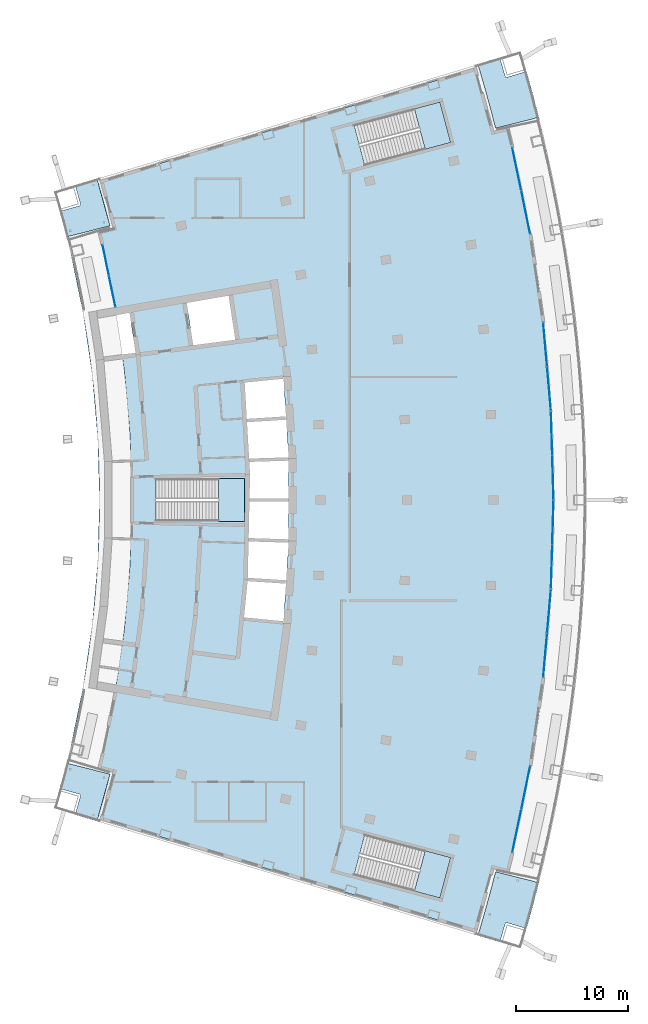
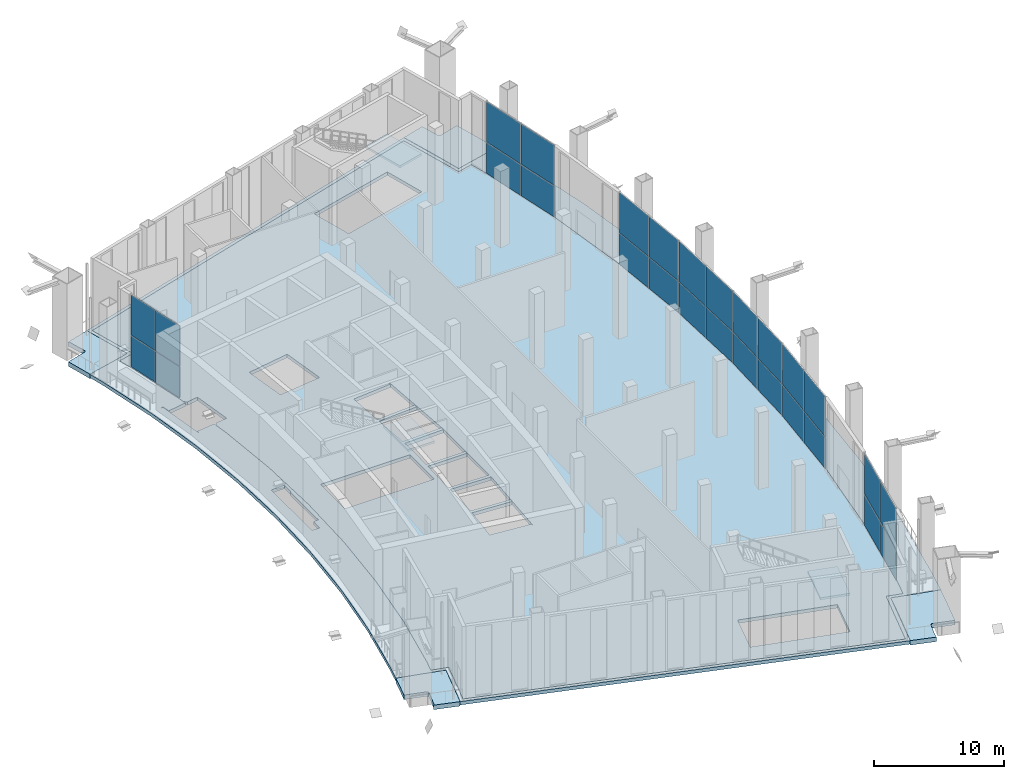
# One storey, part 14 of 26: 28 plates, 9 slabs, 10 elements without a shape of their own.
"""IFC4 building model written with IfcOpenShell, lengths in metres."""

from ifc_helpers import new_model, si_unit, direction, frame, origin, origin_2d, place, context, subcontext, project, spatial, polyline, rectangle, outline, extrude, material, layer, layer_set, type_object, element, aggregate, save


model = new_model("IFC4")

# Units and contexts
model_context = context("Model", 3, precision=1e-05, world=origin(), true_north=direction((0.0, 1.0)))
body_context = subcontext(model_context, "Body", "Model", "MODEL_VIEW")
ifc_project = project(units=[si_unit("LENGTHUNIT", "METRE"), si_unit("AREAUNIT", "SQUARE_METRE"), si_unit("VOLUMEUNIT", "CUBIC_METRE"), si_unit("PLANEANGLEUNIT", "RADIAN"), si_unit("MASSUNIT", "GRAM", prefix="KILO")], contexts=[model_context])

# Site, building, storey
site_placement = place(None, origin())
site = spatial("IfcSite", under=ifc_project, at=site_placement, CompositionType="ELEMENT")
building_placement = place(site_placement, origin())
building = spatial("IfcBuilding", under=site, at=building_placement, Name="Alderwake Tower", CompositionType="ELEMENT")
storey_placement = place(building_placement, frame((0.0, 0.0, 182.0)))
storey = spatial("IfcBuildingStorey", under=building, at=storey_placement, Name="L45", CompositionType="ELEMENT", Elevation=182.0)

# Slabs
ifc_material_1 = material(Name="Concrete C50/60", Category="concrete")
ifc_layer_1 = layer(ifc_material_1, 0.320068359375)
ifc_layer_set_1 = layer_set([ifc_layer_1], Name="Concrete C50/60 post-tensioned flat plate 320")
slab_type_1 = type_object("IfcSlabType", Name="Concrete C50/60 post-tensioned flat plate 320", PredefinedType="FLOOR", material=ifc_layer_set_1)
slab_1_placement = place(storey_placement, frame((0.0, 0.0, -0.320068359375)))
element("IfcSlab", 1, at=slab_1_placement, inside=storey, type_object=slab_type_1, Name="Floor slab L45", PredefinedType="FLOOR", context=body_context, shape_type="SweptSolid", body=[
    extrude(outline(polyline([(19.224853515625, 74.1796875), (18.689697265625, 77.74365234375), (18.885986328125, 77.773193359375), (18.8837890625, 77.787109375), (17.715087890625, 77.584716796875), (17.455078125, 77.77294921875), (17.389404296875, 78.21923828125), (16.219970703125, 83.867919921875), (15.923583984375, 84.97119140625), (17.3134765625, 85.322998046875), (16.14404296875, 89.552001953125), (49.665771484375, 99.6162109375), (51.2431640625, 93.911376953125), (52.55615234375, 94.24365234375), (52.99560546875, 92.60791015625), (54.612060546875, 84.800537109375), (55.770751953125, 76.912109375), (56.467529296875, 68.969482421875), (56.699951171875, 61.0), (56.467529296875, 53.030517578125), (55.770751953125, 45.087890625), (54.612060546875, 37.199462890625), (52.99560546875, 29.39208984375), (52.55615234375, 27.75634765625), (51.2431640625, 28.088623046875), (49.665771484375, 22.3837890625), (16.14404296875, 32.447998046875), (17.3134765625, 36.677001953125), (15.923583984375, 37.02880859375), (16.219970703125, 38.132080078125), (17.389404296875, 43.78076171875), (18.227783203125, 49.48779296875), (18.731689453125, 55.234130859375), (18.89990234375, 61.0), (18.731689453125, 66.765869140625), (18.227783203125, 72.51220703125), (18.03955078125, 73.79248046875), (18.234375, 74.050048828125), (19.224853515625, 74.1796875)]), holes=[polyline([(29.2578125, 53.77197265625), (28.9365234375, 50.4912109375), (32.447509765625, 50.147705078125), (32.432861328125, 49.998291015625), (32.462646484375, 49.995361328125), (32.701416015625, 53.660888671875), (32.940185546875, 57.32666015625), (32.940185546875, 61.0), (32.940185546875, 64.67333984375), (32.701416015625, 68.339111328125), (32.462646484375, 72.004638671875), (32.432861328125, 72.001708984375), (32.447509765625, 71.852294921875), (28.886962890625, 71.50390625), (28.88720703125, 71.50048828125), (28.99462890625, 71.506591796875), (29.184814453125, 68.26025390625), (32.66162109375, 68.48681640625), (32.67138671875, 68.337158203125), (32.68115234375, 68.1875), (29.2021484375, 67.960693359375), (29.392578125, 64.7080078125), (32.9052734375, 64.822265625), (32.91015625, 64.67236328125), (32.9150390625, 64.5224609375), (29.41015625, 64.408447265625), (29.4765625, 63.27685546875), (29.429443359375, 61.14990234375), (32.91015625, 61.14990234375), (32.91015625, 61.0), (32.91015625, 60.85009765625), (29.4228515625, 60.85009765625), (29.350830078125, 57.593505859375), (32.9150390625, 57.4775390625), (32.91015625, 57.32763671875), (32.9052734375, 57.177734375), (29.34423828125, 57.29345703125), (29.2705078125, 53.969482421875), (29.274169921875, 53.969482421875), (29.2783203125, 54.0341796875), (32.68115234375, 53.8125), (32.67138671875, 53.662841796875), (32.66162109375, 53.51318359375), (29.2587890625, 53.73486328125), (29.26123046875, 53.771728515625), (29.2578125, 53.77197265625)]), polyline([(21.050048828125, 62.875), (21.050048828125, 59.125), (29.0, 59.125), (29.0, 62.875), (21.050048828125, 62.875)]), polyline([(27.555419921875, 79.29052734375), (23.811767578125, 78.6416015625), (24.384033203125, 74.8583984375), (24.373291015625, 74.856689453125), (24.373779296875, 74.85302734375), (28.152587890625, 75.347412109375), (27.555419921875, 79.29052734375)]), polyline([(47.436279296875, 28.996826171875), (39.754150390625, 31.043212890625), (38.7890625, 27.41943359375), (46.47119140625, 25.373291015625), (47.436279296875, 28.996826171875)]), polyline([(46.47119140625, 96.626708984375), (38.7890625, 94.58056640625), (39.754150390625, 90.956787109375), (47.436279296875, 93.003173828125), (46.47119140625, 96.626708984375)])]), origin(), (0.0, 0.0, 1.0), 0.320068359375),
])
ifc_material_2 = material(Name="Concrete C50/60", Category="concrete")
ifc_layer_2 = layer(ifc_material_2, 0.320068359375)
ifc_layer_set_2 = layer_set([ifc_layer_2], Name="Concrete C50/60 terrace slab 320")
slab_type_2 = type_object("IfcSlabType", Name="Concrete C50/60 terrace slab 320", PredefinedType="FLOOR", material=ifc_layer_set_2)
slab_2_placement = place(storey_placement, frame((0.0, 0.0, -0.320068359375)))
element("IfcSlab", 2, at=slab_2_placement, inside=storey, type_object=slab_type_2, Name="Terrace slab L45", PredefinedType="FLOOR", context=body_context, shape_type="SweptSolid", body=[
    extrude(outline(polyline([(13.3984375, 38.802734375), (14.53369140625, 44.28564453125), (15.347412109375, 49.825439453125), (15.836669921875, 55.4033203125), (16.0, 61.0), (15.836669921875, 66.5966796875), (15.347412109375, 72.174560546875), (14.53369140625, 77.71435546875), (13.3984375, 83.197265625), (13.06494140625, 84.556884765625), (16.942626953125, 85.53857421875), (15.776611328125, 89.7548828125), (49.873046875, 99.99169921875), (51.4541015625, 94.274169921875), (55.331787109375, 95.255615234375), (55.81689453125, 93.278564453125), (57.4677734375, 85.305419921875), (58.65087890625, 77.249755859375), (59.362548828125, 69.138671875), (59.60009765625, 61.0), (59.362548828125, 52.861328125), (58.65087890625, 44.750244140625), (57.4677734375, 36.694580078125), (55.81689453125, 28.721435546875), (55.331787109375, 26.744384765625), (51.4541015625, 27.725830078125), (49.873046875, 22.00830078125), (15.776611328125, 32.2451171875), (16.942626953125, 36.46142578125), (13.06494140625, 37.443115234375), (13.3984375, 38.802734375)]), holes=[polyline([(51.2431640625, 28.088623046875), (52.55615234375, 27.75634765625), (52.99560546875, 29.39208984375), (54.612060546875, 37.199462890625), (55.770751953125, 45.087890625), (56.467529296875, 53.030517578125), (56.699951171875, 61.0), (56.467529296875, 68.969482421875), (55.770751953125, 76.912109375), (54.612060546875, 84.800537109375), (52.99560546875, 92.60791015625), (52.55615234375, 94.24365234375), (51.2431640625, 93.911376953125), (49.665771484375, 99.6162109375), (16.14404296875, 89.552001953125), (17.3134765625, 85.322998046875), (15.923583984375, 84.97119140625), (16.219970703125, 83.867919921875), (17.389404296875, 78.21923828125), (17.48828125, 77.54541015625), (15.854248046875, 77.261962890625), (15.739013671875, 77.927490234375), (15.5361328125, 77.8916015625), (15.536865234375, 77.887939453125), (15.716796875, 77.91552734375), (16.379150390625, 73.605712890625), (16.4091796875, 73.609619140625), (16.38330078125, 73.80810546875), (18.006103515625, 74.020263671875), (18.227783203125, 72.51220703125), (18.731689453125, 66.765869140625), (18.89990234375, 61.0), (18.731689453125, 55.234130859375), (18.227783203125, 49.48779296875), (17.389404296875, 43.78076171875), (16.219970703125, 38.132080078125), (15.923583984375, 37.02880859375), (17.3134765625, 36.677001953125), (16.14404296875, 32.447998046875), (49.665771484375, 22.3837890625), (51.2431640625, 28.088623046875)]), polyline([(17.389404296875, 64.1220703125), (17.389404296875, 57.8779296875), (18.06298828125, 57.85400390625), (18.090576171875, 58.84375), (18.544189453125, 58.831298828125), (18.529296875, 58.8681640625), (18.5234375, 58.891845703125), (18.5185546875, 58.940673828125), (18.5185546875, 63.060302734375), (18.5234375, 63.109130859375), (18.53759765625, 63.156005859375), (18.560791015625, 63.19921875), (18.588623046875, 63.2333984375), (18.562744140625, 64.16357421875), (17.389404296875, 64.1220703125)])]), origin(), (0.0, 0.0, 1.0), 0.320068359375),
])

# Stair, slab
ifc_material_3 = material(Name="Concrete C40/50", Category="concrete")
stair_type = type_object("IfcStairType", Name="Core exit stair", PredefinedType="HALF_TURN_STAIR", material=ifc_material_3)
stair_1_placement = place(storey_placement, origin())
stair_1 = element("IfcStair", 3, at=stair_1_placement, inside=storey, type_object=stair_type, Name="L45 Exit Stair B", PredefinedType="HALF_TURN_STAIR")
ifc_material_4 = material(Name="Concrete C40/50", Category="concrete")
ifc_layer_3 = layer(ifc_material_4, 0.199951171875)
ifc_layer_set_3 = layer_set([ifc_layer_3], Name="Core stair landing 200")
slab_type_3 = type_object("IfcSlabType", Name="Core stair landing 200", PredefinedType="LANDING", material=ifc_layer_set_3)
slab_3_placement = place(storey_placement, frame((0.0, 0.0, 3.39990234375)))
slab_3 = element("IfcSlab", 4, at=slab_3_placement, type_object=slab_type_3, Name="ST-B landing 1", PredefinedType="LANDING", context=body_context, shape_type="SweptSolid", body=[
    extrude(outline(polyline([(26.6298828125, 59.074951171875), (29.0, 59.074951171875), (29.0, 62.925048828125), (26.6298828125, 62.925048828125), (26.6298828125, 59.074951171875)])), origin(), (0.0, 0.0, 1.0), 0.2001953125),
])
aggregate(stair_1, [slab_3])

stair_2_placement = place(storey_placement, origin())
stair_2 = element("IfcStair", 5, at=stair_2_placement, inside=storey, type_object=stair_type, Name="L45 Exit Stair A", PredefinedType="HALF_TURN_STAIR")
slab_4_placement = place(storey_placement, frame((0.0, 0.0, 3.39990234375)))
slab_4 = element("IfcSlab", 6, at=slab_4_placement, type_object=slab_type_3, Name="ST-A landing 1", PredefinedType="LANDING", context=body_context, shape_type="SweptSolid", body=[
    extrude(outline(polyline([(45.146240234375, 92.39306640625), (47.436279296875, 93.003173828125), (46.47119140625, 96.626708984375), (44.18115234375, 96.0166015625), (45.146240234375, 92.39306640625)])), origin(), (0.0, 0.0, 1.0), 0.2001953125),
])
aggregate(stair_2, [slab_4])

stair_3_placement = place(storey_placement, origin())
stair_3 = element("IfcStair", 7, at=stair_3_placement, inside=storey, type_object=stair_type, Name="L45 Exit Stair C", PredefinedType="HALF_TURN_STAIR")
slab_5_placement = place(storey_placement, frame((0.0, 0.0, 3.39990234375)))
slab_5 = element("IfcSlab", 8, at=slab_5_placement, type_object=slab_type_3, Name="ST-C landing 1", PredefinedType="LANDING", context=body_context, shape_type="SweptSolid", body=[
    extrude(outline(polyline([(44.180908203125, 25.983154296875), (46.47119140625, 25.373291015625), (47.436279296875, 28.996826171875), (45.146240234375, 29.60693359375), (44.180908203125, 25.983154296875)])), origin(), (0.0, 0.0, 1.0), 0.2001953125),
])
aggregate(stair_3, [slab_5])

# Curtain wall, plates
ifc_material_5 = material(Name="Bronze tinted glass in aluminium frame", Category="aluminium")
ifc_layer_4 = layer(ifc_material_5, 0.199951171875)
ifc_layer_set_4 = layer_set([ifc_layer_4], Name="Curtain wall CW3 sky garden glazing")
curtain_wall_type = type_object("IfcCurtainWallType", Name="Curtain wall CW3 sky garden glazing", PredefinedType="NOTDEFINED", material=ifc_layer_set_4)
curtain_wall_1_placement = place(storey_placement, origin())
curtain_wall_1 = element("IfcCurtainWall", 9, at=curtain_wall_1_placement, inside=storey, type_object=curtain_wall_type, Name="Curtain wall 1", PredefinedType="NOTDEFINED")
ifc_material_6 = material(Name="Bronze tinted glass in aluminium frame", Category="aluminium")
ifc_layer_5 = layer(ifc_material_6, 0.028076171875)
ifc_layer_set_5 = layer_set([ifc_layer_5], Name="Glass panel GPC 28")
plate_type = type_object("IfcPlateType", Name="Glass panel GPC 28", PredefinedType="CURTAIN_PANEL", material=ifc_layer_set_5)
plate_1_placement = place(storey_placement, frame((16.56396484375, 82.452880859375, 0.06005859375), z_axis=(0.0, 0.0, 1.0), x_axis=(0.202757705944, -0.979228937828, 0.0)))
plate_1 = element("IfcPlate", 10, at=plate_1_placement, type_object=plate_type, Name="CW.01 panel 1.1", PredefinedType="CURTAIN_PANEL", context=body_context, shape_type="SweptSolid", body=[
    extrude(rectangle(XDim=2.79052734375, YDim=0.028076171875, at=origin_2d()), origin(), (0.0, 0.0, 1.0), 2.909912109375),
])
plate_2_placement = place(storey_placement, frame((16.56396484375, 82.452880859375, 3.030029296875), z_axis=(0.0, 0.0, 1.0), x_axis=(0.202757705944, -0.979228937828, 0.0)))
plate_2 = element("IfcPlate", 11, at=plate_2_placement, type_object=plate_type, Name="CW.01 panel 1.2", PredefinedType="CURTAIN_PANEL", context=body_context, shape_type="SweptSolid", body=[
    extrude(rectangle(XDim=2.79052734375, YDim=0.028076171875, at=origin_2d()), origin(), (0.0, 0.0, 1.0), 3.7900390625),
])
plate_3_placement = place(storey_placement, frame((17.141845703125, 79.66162109375, 0.06005859375), z_axis=(0.0, 0.0, 1.0), x_axis=(0.202757705944, -0.979228937828, 0.0)))
plate_3 = element("IfcPlate", 12, at=plate_3_placement, type_object=plate_type, Name="CW.01 panel 2.1", PredefinedType="CURTAIN_PANEL", context=body_context, shape_type="SweptSolid", body=[
    extrude(rectangle(XDim=2.79052734375, YDim=0.028076171875, at=origin_2d()), origin(), (0.0, 0.0, 1.0), 2.909912109375),
])
plate_4_placement = place(storey_placement, frame((17.141845703125, 79.66162109375, 3.030029296875), z_axis=(0.0, 0.0, 1.0), x_axis=(0.202757705944, -0.979228937828, 0.0)))
plate_4 = element("IfcPlate", 13, at=plate_4_placement, type_object=plate_type, Name="CW.01 panel 2.2", PredefinedType="CURTAIN_PANEL", context=body_context, shape_type="SweptSolid", body=[
    extrude(rectangle(XDim=2.79052734375, YDim=0.028076171875, at=origin_2d()), origin(), (0.0, 0.0, 1.0), 3.7900390625),
])
aggregate(curtain_wall_1, [plate_1, plate_2, plate_3, plate_4])

curtain_wall_2_placement = place(storey_placement, origin())
curtain_wall_2 = element("IfcCurtainWall", 14, at=curtain_wall_2_placement, inside=storey, type_object=curtain_wall_type, Name="Curtain wall 2", PredefinedType="NOTDEFINED")
plate_5_placement = place(storey_placement, frame((53.353759765625, 31.36865234375, 0.06005859375), z_axis=(0.0, 0.0, 1.0), x_axis=(0.202747028679, 0.979231148586, 0.0)))
plate_5 = element("IfcPlate", 15, at=plate_5_placement, type_object=plate_type, Name="CW.02 panel 1.1", PredefinedType="CURTAIN_PANEL", context=body_context, shape_type="SweptSolid", body=[
    extrude(rectangle(XDim=3.896484375, YDim=0.028076171875, at=origin_2d()), origin(), (0.0, 0.0, 1.0), 2.909912109375),
])
plate_6_placement = place(storey_placement, frame((53.353759765625, 31.36865234375, 3.030029296875), z_axis=(0.0, 0.0, 1.0), x_axis=(0.202747028679, 0.979231148586, 0.0)))
plate_6 = element("IfcPlate", 16, at=plate_6_placement, type_object=plate_type, Name="CW.02 panel 1.2", PredefinedType="CURTAIN_PANEL", context=body_context, shape_type="SweptSolid", body=[
    extrude(rectangle(XDim=3.896484375, YDim=0.028076171875, at=origin_2d()), origin(), (0.0, 0.0, 1.0), 3.7900390625),
])
plate_7_placement = place(storey_placement, frame((54.156005859375, 35.242919921875, 0.06005859375), z_axis=(0.0, 0.0, 1.0), x_axis=(0.202747028679, 0.979231148586, 0.0)))
plate_7 = element("IfcPlate", 17, at=plate_7_placement, type_object=plate_type, Name="CW.02 panel 2.1", PredefinedType="CURTAIN_PANEL", context=body_context, shape_type="SweptSolid", body=[
    extrude(rectangle(XDim=3.896484375, YDim=0.028076171875, at=origin_2d()), origin(), (0.0, 0.0, 1.0), 2.909912109375),
])
plate_8_placement = place(storey_placement, frame((54.156005859375, 35.242919921875, 3.030029296875), z_axis=(0.0, 0.0, 1.0), x_axis=(0.202747028679, 0.979231148586, 0.0)))
plate_8 = element("IfcPlate", 18, at=plate_8_placement, type_object=plate_type, Name="CW.02 panel 2.2", PredefinedType="CURTAIN_PANEL", context=body_context, shape_type="SweptSolid", body=[
    extrude(rectangle(XDim=3.896484375, YDim=0.028076171875, at=origin_2d()), origin(), (0.0, 0.0, 1.0), 3.7900390625),
])
aggregate(curtain_wall_2, [plate_5, plate_6, plate_7, plate_8])

curtain_wall_3_placement = place(storey_placement, origin())
curtain_wall_3 = element("IfcCurtainWall", 19, at=curtain_wall_3_placement, inside=storey, type_object=curtain_wall_type, Name="Curtain wall 3", PredefinedType="NOTDEFINED")
plate_9_placement = place(storey_placement, frame((55.896484375, 47.0927734375, 0.06005859375), z_axis=(0.0, 0.0, 1.0), x_axis=(0.087393792168, 0.996173842806, 0.0)))
plate_9 = element("IfcPlate", 20, at=plate_9_placement, type_object=plate_type, Name="CW.03 panel 1.1", PredefinedType="CURTAIN_PANEL", context=body_context, shape_type="SweptSolid", body=[
    extrude(rectangle(XDim=3.896484375, YDim=0.028076171875, at=origin_2d()), origin(), (0.0, 0.0, 1.0), 2.909912109375),
])
plate_10_placement = place(storey_placement, frame((55.896484375, 47.0927734375, 3.030029296875), z_axis=(0.0, 0.0, 1.0), x_axis=(0.087393792168, 0.996173842806, 0.0)))
plate_10 = element("IfcPlate", 21, at=plate_10_placement, type_object=plate_type, Name="CW.03 panel 1.2", PredefinedType="CURTAIN_PANEL", context=body_context, shape_type="SweptSolid", body=[
    extrude(rectangle(XDim=3.896484375, YDim=0.028076171875, at=origin_2d()), origin(), (0.0, 0.0, 1.0), 3.7900390625),
])
plate_11_placement = place(storey_placement, frame((56.2421875, 51.0341796875, 0.06005859375), z_axis=(0.0, 0.0, 1.0), x_axis=(0.087393792168, 0.996173842806, 0.0)))
plate_11 = element("IfcPlate", 22, at=plate_11_placement, type_object=plate_type, Name="CW.03 panel 2.1", PredefinedType="CURTAIN_PANEL", context=body_context, shape_type="SweptSolid", body=[
    extrude(rectangle(XDim=3.896484375, YDim=0.028076171875, at=origin_2d()), origin(), (0.0, 0.0, 1.0), 2.909912109375),
])
plate_12_placement = place(storey_placement, frame((56.2421875, 51.0341796875, 3.030029296875), z_axis=(0.0, 0.0, 1.0), x_axis=(0.087393792168, 0.996173842806, 0.0)))
plate_12 = element("IfcPlate", 23, at=plate_12_placement, type_object=plate_type, Name="CW.03 panel 2.2", PredefinedType="CURTAIN_PANEL", context=body_context, shape_type="SweptSolid", body=[
    extrude(rectangle(XDim=3.896484375, YDim=0.028076171875, at=origin_2d()), origin(), (0.0, 0.0, 1.0), 3.7900390625),
])
aggregate(curtain_wall_3, [plate_9, plate_10, plate_11, plate_12])

curtain_wall_4_placement = place(storey_placement, origin())
curtain_wall_4 = element("IfcCurtainWall", 24, at=curtain_wall_4_placement, inside=storey, type_object=curtain_wall_type, Name="Curtain wall 4", PredefinedType="NOTDEFINED")
plate_13_placement = place(storey_placement, frame((56.47607421875, 55.039306640625, 0.06005859375), z_axis=(0.0, 0.0, 1.0), x_axis=(0.029160952175, 0.999574729006, 0.0)))
plate_13 = element("IfcPlate", 25, at=plate_13_placement, type_object=plate_type, Name="CW.04 panel 1.1", PredefinedType="CURTAIN_PANEL", context=body_context, shape_type="SweptSolid", body=[
    extrude(rectangle(XDim=3.896484375, YDim=0.028076171875, at=origin_2d()), origin(), (0.0, 0.0, 1.0), 2.909912109375),
])
plate_14_placement = place(storey_placement, frame((56.47607421875, 55.039306640625, 3.030029296875), z_axis=(0.0, 0.0, 1.0), x_axis=(0.029160952175, 0.999574729006, 0.0)))
plate_14 = element("IfcPlate", 26, at=plate_14_placement, type_object=plate_type, Name="CW.04 panel 1.2", PredefinedType="CURTAIN_PANEL", context=body_context, shape_type="SweptSolid", body=[
    extrude(rectangle(XDim=3.896484375, YDim=0.028076171875, at=origin_2d()), origin(), (0.0, 0.0, 1.0), 3.7900390625),
])
plate_15_placement = place(storey_placement, frame((56.591552734375, 58.994140625, 0.06005859375), z_axis=(0.0, 0.0, 1.0), x_axis=(0.029160952175, 0.999574729006, 0.0)))
plate_15 = element("IfcPlate", 27, at=plate_15_placement, type_object=plate_type, Name="CW.04 panel 2.1", PredefinedType="CURTAIN_PANEL", context=body_context, shape_type="SweptSolid", body=[
    extrude(rectangle(XDim=3.896484375, YDim=0.028076171875, at=origin_2d()), origin(), (0.0, 0.0, 1.0), 2.909912109375),
])
plate_16_placement = place(storey_placement, frame((56.591552734375, 58.994140625, 3.030029296875), z_axis=(0.0, 0.0, 1.0), x_axis=(0.029160952175, 0.999574729006, 0.0)))
plate_16 = element("IfcPlate", 28, at=plate_16_placement, type_object=plate_type, Name="CW.04 panel 2.2", PredefinedType="CURTAIN_PANEL", context=body_context, shape_type="SweptSolid", body=[
    extrude(rectangle(XDim=3.896484375, YDim=0.028076171875, at=origin_2d()), origin(), (0.0, 0.0, 1.0), 3.7900390625),
])
aggregate(curtain_wall_4, [plate_13, plate_14, plate_15, plate_16])

curtain_wall_5_placement = place(storey_placement, origin())
curtain_wall_5 = element("IfcCurtainWall", 29, at=curtain_wall_5_placement, inside=storey, type_object=curtain_wall_type, Name="Curtain wall 5", PredefinedType="NOTDEFINED")
plate_17_placement = place(storey_placement, frame((56.591552734375, 63.005859375, 0.06005859375), z_axis=(0.0, 0.0, 1.0), x_axis=(-0.029160952175, 0.999574729006, 0.0)))
plate_17 = element("IfcPlate", 30, at=plate_17_placement, type_object=plate_type, Name="CW.05 panel 1.1", PredefinedType="CURTAIN_PANEL", context=body_context, shape_type="SweptSolid", body=[
    extrude(rectangle(XDim=3.896484375, YDim=0.028076171875, at=origin_2d()), origin(), (0.0, 0.0, 1.0), 2.909912109375),
])
plate_18_placement = place(storey_placement, frame((56.591552734375, 63.005859375, 3.030029296875), z_axis=(0.0, 0.0, 1.0), x_axis=(-0.029160952175, 0.999574729006, 0.0)))
plate_18 = element("IfcPlate", 31, at=plate_18_placement, type_object=plate_type, Name="CW.05 panel 1.2", PredefinedType="CURTAIN_PANEL", context=body_context, shape_type="SweptSolid", body=[
    extrude(rectangle(XDim=3.896484375, YDim=0.028076171875, at=origin_2d()), origin(), (0.0, 0.0, 1.0), 3.7900390625),
])
plate_19_placement = place(storey_placement, frame((56.47607421875, 66.960693359375, 0.06005859375), z_axis=(0.0, 0.0, 1.0), x_axis=(-0.029160952175, 0.999574729006, 0.0)))
plate_19 = element("IfcPlate", 32, at=plate_19_placement, type_object=plate_type, Name="CW.05 panel 2.1", PredefinedType="CURTAIN_PANEL", context=body_context, shape_type="SweptSolid", body=[
    extrude(rectangle(XDim=3.896484375, YDim=0.028076171875, at=origin_2d()), origin(), (0.0, 0.0, 1.0), 2.909912109375),
])
plate_20_placement = place(storey_placement, frame((56.47607421875, 66.960693359375, 3.030029296875), z_axis=(0.0, 0.0, 1.0), x_axis=(-0.029160952175, 0.999574729006, 0.0)))
plate_20 = element("IfcPlate", 33, at=plate_20_placement, type_object=plate_type, Name="CW.05 panel 2.2", PredefinedType="CURTAIN_PANEL", context=body_context, shape_type="SweptSolid", body=[
    extrude(rectangle(XDim=3.896484375, YDim=0.028076171875, at=origin_2d()), origin(), (0.0, 0.0, 1.0), 3.7900390625),
])
aggregate(curtain_wall_5, [plate_17, plate_18, plate_19, plate_20])

curtain_wall_6_placement = place(storey_placement, origin())
curtain_wall_6 = element("IfcCurtainWall", 34, at=curtain_wall_6_placement, inside=storey, type_object=curtain_wall_type, Name="Curtain wall 6", PredefinedType="NOTDEFINED")
plate_21_placement = place(storey_placement, frame((56.2421875, 70.9658203125, 0.06005859375), z_axis=(0.0, 0.0, 1.0), x_axis=(-0.087393792168, 0.996173842806, 0.0)))
plate_21 = element("IfcPlate", 35, at=plate_21_placement, type_object=plate_type, Name="CW.06 panel 1.1", PredefinedType="CURTAIN_PANEL", context=body_context, shape_type="SweptSolid", body=[
    extrude(rectangle(XDim=3.896484375, YDim=0.028076171875, at=origin_2d()), origin(), (0.0, 0.0, 1.0), 2.909912109375),
])
plate_22_placement = place(storey_placement, frame((56.2421875, 70.9658203125, 3.030029296875), z_axis=(0.0, 0.0, 1.0), x_axis=(-0.087393792168, 0.996173842806, 0.0)))
plate_22 = element("IfcPlate", 36, at=plate_22_placement, type_object=plate_type, Name="CW.06 panel 1.2", PredefinedType="CURTAIN_PANEL", context=body_context, shape_type="SweptSolid", body=[
    extrude(rectangle(XDim=3.896484375, YDim=0.028076171875, at=origin_2d()), origin(), (0.0, 0.0, 1.0), 3.7900390625),
])
plate_23_placement = place(storey_placement, frame((55.896484375, 74.9072265625, 0.06005859375), z_axis=(0.0, 0.0, 1.0), x_axis=(-0.087393792168, 0.996173842806, 0.0)))
plate_23 = element("IfcPlate", 37, at=plate_23_placement, type_object=plate_type, Name="CW.06 panel 2.1", PredefinedType="CURTAIN_PANEL", context=body_context, shape_type="SweptSolid", body=[
    extrude(rectangle(XDim=3.896484375, YDim=0.028076171875, at=origin_2d()), origin(), (0.0, 0.0, 1.0), 2.909912109375),
])
plate_24_placement = place(storey_placement, frame((55.896484375, 74.9072265625, 3.030029296875), z_axis=(0.0, 0.0, 1.0), x_axis=(-0.087393792168, 0.996173842806, 0.0)))
plate_24 = element("IfcPlate", 38, at=plate_24_placement, type_object=plate_type, Name="CW.06 panel 2.2", PredefinedType="CURTAIN_PANEL", context=body_context, shape_type="SweptSolid", body=[
    extrude(rectangle(XDim=3.896484375, YDim=0.028076171875, at=origin_2d()), origin(), (0.0, 0.0, 1.0), 3.7900390625),
])
aggregate(curtain_wall_6, [plate_21, plate_22, plate_23, plate_24])

curtain_wall_7_placement = place(storey_placement, origin())
curtain_wall_7 = element("IfcCurtainWall", 39, at=curtain_wall_7_placement, inside=storey, type_object=curtain_wall_type, Name="Curtain wall 7", PredefinedType="NOTDEFINED")
plate_25_placement = place(storey_placement, frame((54.156005859375, 86.757080078125, 0.06005859375), z_axis=(0.0, 0.0, 1.0), x_axis=(-0.202747028679, 0.979231148586, 0.0)))
plate_25 = element("IfcPlate", 40, at=plate_25_placement, type_object=plate_type, Name="CW.07 panel 1.1", PredefinedType="CURTAIN_PANEL", context=body_context, shape_type="SweptSolid", body=[
    extrude(rectangle(XDim=3.896484375, YDim=0.028076171875, at=origin_2d()), origin(), (0.0, 0.0, 1.0), 2.909912109375),
])
plate_26_placement = place(storey_placement, frame((54.156005859375, 86.757080078125, 3.030029296875), z_axis=(0.0, 0.0, 1.0), x_axis=(-0.202747028679, 0.979231148586, 0.0)))
plate_26 = element("IfcPlate", 41, at=plate_26_placement, type_object=plate_type, Name="CW.07 panel 1.2", PredefinedType="CURTAIN_PANEL", context=body_context, shape_type="SweptSolid", body=[
    extrude(rectangle(XDim=3.896484375, YDim=0.028076171875, at=origin_2d()), origin(), (0.0, 0.0, 1.0), 3.7900390625),
])
plate_27_placement = place(storey_placement, frame((53.353759765625, 90.63134765625, 0.06005859375), z_axis=(0.0, 0.0, 1.0), x_axis=(-0.202747028679, 0.979231148586, 0.0)))
plate_27 = element("IfcPlate", 42, at=plate_27_placement, type_object=plate_type, Name="CW.07 panel 2.1", PredefinedType="CURTAIN_PANEL", context=body_context, shape_type="SweptSolid", body=[
    extrude(rectangle(XDim=3.896484375, YDim=0.028076171875, at=origin_2d()), origin(), (0.0, 0.0, 1.0), 2.909912109375),
])
plate_28_placement = place(storey_placement, frame((53.353759765625, 90.63134765625, 3.030029296875), z_axis=(0.0, 0.0, 1.0), x_axis=(-0.202747028679, 0.979231148586, 0.0)))
plate_28 = element("IfcPlate", 43, at=plate_28_placement, type_object=plate_type, Name="CW.07 panel 2.2", PredefinedType="CURTAIN_PANEL", context=body_context, shape_type="SweptSolid", body=[
    extrude(rectangle(XDim=3.896484375, YDim=0.028076171875, at=origin_2d()), origin(), (0.0, 0.0, 1.0), 3.7900390625),
])
aggregate(curtain_wall_7, [plate_25, plate_26, plate_27, plate_28])

# Slabs
ifc_material_7 = material(Name="Concrete C50/60", Category="concrete")
ifc_layer_6 = layer(ifc_material_7, 0.419921875)
ifc_layer_set_6 = layer_set([ifc_layer_6], Name="Terrace slab 420")
slab_type_4 = type_object("IfcSlabType", Name="Terrace slab 420", PredefinedType="FLOOR", material=ifc_layer_set_6)
slab_6_placement = place(storey_placement, frame((0.0, 0.0, -0.419921875)))
element("IfcSlab", 44, at=slab_6_placement, inside=storey, type_object=slab_type_4, Name="Corner terrace FS", PredefinedType="FLOOR", context=body_context, shape_type="SweptSolid", body=[
    extrude(outline(polyline([(54.275390625, 22.812255859375), (54.224365234375, 22.6376953125), (52.501220703125, 23.142578125), (52.48681640625, 23.146240234375), (52.472412109375, 23.148193359375), (52.45751953125, 23.148681640625), (52.44287109375, 23.14794921875), (52.428466796875, 23.1455078125), (52.4140625, 23.141845703125), (52.400390625, 23.13671875), (52.38720703125, 23.13037109375), (52.37451171875, 23.122802734375), (52.36279296875, 23.114013671875), (52.35205078125, 23.10400390625), (52.34228515625, 23.093017578125), (52.33349609375, 23.0810546875), (52.326171875, 23.068359375), (52.31982421875, 23.054931640625), (52.315185546875, 23.041015625), (51.864990234375, 21.505615234375), (51.861572265625, 21.4912109375), (51.859619140625, 21.476806640625), (51.85888671875, 21.4619140625), (51.859619140625, 21.447265625), (51.862060546875, 21.432861328125), (51.86572265625, 21.41845703125), (51.869140625, 21.4091796875), (49.873046875, 22.00830078125), (50.427978515625, 23.906494140625), (50.954833984375, 25.8125), (51.4541015625, 27.725830078125), (55.331787109375, 26.744384765625), (54.81787109375, 24.7744140625), (54.275390625, 22.812255859375)])), origin(), (0.0, 0.0, 1.0), 0.419921875),
])
slab_7_placement = place(storey_placement, frame((0.0, 0.0, -0.419921875)))
element("IfcSlab", 45, at=slab_7_placement, inside=storey, type_object=slab_type_4, Name="Corner terrace RS", PredefinedType="FLOOR", context=body_context, shape_type="SweptSolid", body=[
    extrude(outline(polyline([(15.776611328125, 32.2451171875), (13.768798828125, 32.847900390625), (13.77685546875, 32.851806640625), (13.789306640625, 32.859619140625), (13.801025390625, 32.868408203125), (13.81201171875, 32.878662109375), (13.82177734375, 32.8896484375), (13.830322265625, 32.901611328125), (13.837646484375, 32.914306640625), (13.84375, 32.927490234375), (13.8486328125, 32.94140625), (14.29443359375, 34.478271484375), (14.2978515625, 34.492431640625), (14.2998046875, 34.507080078125), (14.30029296875, 34.521728515625), (14.29931640625, 34.53662109375), (14.297119140625, 34.551025390625), (14.29345703125, 34.565185546875), (14.2880859375, 34.5791015625), (14.28173828125, 34.59228515625), (14.27392578125, 34.604736328125), (14.26513671875, 34.616455078125), (14.255126953125, 34.627197265625), (14.244140625, 34.63720703125), (14.232177734375, 34.645751953125), (14.219482421875, 34.653076171875), (14.2060546875, 34.6591796875), (14.192138671875, 34.6640625), (12.46337890625, 35.16552734375), (12.456787109375, 35.1669921875), (12.71142578125, 36.08837890625), (13.06494140625, 37.443115234375), (16.942626953125, 36.46142578125), (15.776611328125, 32.2451171875)])), origin(), (0.0, 0.0, 1.0), 0.419921875),
])
slab_8_placement = place(storey_placement, frame((0.0, 0.0, -0.419921875)))
element("IfcSlab", 46, at=slab_8_placement, inside=storey, type_object=slab_type_4, Name="Corner terrace FN", PredefinedType="FLOOR", context=body_context, shape_type="SweptSolid", body=[
    extrude(outline(polyline([(54.275390625, 99.187744140625), (54.81787109375, 97.2255859375), (55.331787109375, 95.255615234375), (51.4541015625, 94.274169921875), (50.954833984375, 96.1875), (50.427978515625, 98.093505859375), (49.873046875, 99.99169921875), (51.869140625, 100.5908203125), (51.86572265625, 100.58154296875), (51.862060546875, 100.567138671875), (51.859619140625, 100.552734375), (51.85888671875, 100.5380859375), (51.859619140625, 100.523193359375), (51.861572265625, 100.5087890625), (51.864990234375, 100.494384765625), (52.315185546875, 98.958984375), (52.31982421875, 98.945068359375), (52.326171875, 98.931640625), (52.33349609375, 98.9189453125), (52.34228515625, 98.906982421875), (52.35205078125, 98.89599609375), (52.36279296875, 98.885986328125), (52.37451171875, 98.877197265625), (52.38720703125, 98.86962890625), (52.400390625, 98.86328125), (52.4140625, 98.858154296875), (52.428466796875, 98.8544921875), (52.44287109375, 98.85205078125), (52.45751953125, 98.851318359375), (52.472412109375, 98.851806640625), (52.48681640625, 98.853759765625), (52.501220703125, 98.857421875), (54.224365234375, 99.3623046875), (54.275390625, 99.187744140625)])), origin(), (0.0, 0.0, 1.0), 0.419921875),
])
slab_9_placement = place(storey_placement, frame((0.0, 0.0, -0.419921875)))
element("IfcSlab", 47, at=slab_9_placement, inside=storey, type_object=slab_type_4, Name="Corner terrace RN", PredefinedType="FLOOR", context=body_context, shape_type="SweptSolid", body=[
    extrude(outline(polyline([(12.456787109375, 86.8330078125), (12.46337890625, 86.83447265625), (14.192138671875, 87.3359375), (14.2060546875, 87.3408203125), (14.219482421875, 87.346923828125), (14.232177734375, 87.354248046875), (14.244140625, 87.36279296875), (14.255126953125, 87.372802734375), (14.26513671875, 87.383544921875), (14.27392578125, 87.395263671875), (14.28173828125, 87.40771484375), (14.2880859375, 87.4208984375), (14.29345703125, 87.434814453125), (14.297119140625, 87.448974609375), (14.29931640625, 87.46337890625), (14.30029296875, 87.478271484375), (14.2998046875, 87.492919921875), (14.2978515625, 87.507568359375), (14.29443359375, 87.521728515625), (13.8486328125, 89.05859375), (13.84375, 89.072509765625), (13.837646484375, 89.085693359375), (13.830322265625, 89.098388671875), (13.82177734375, 89.1103515625), (13.81201171875, 89.121337890625), (13.801025390625, 89.131591796875), (13.789306640625, 89.140380859375), (13.77685546875, 89.148193359375), (13.768798828125, 89.152099609375), (15.776611328125, 89.7548828125), (16.942626953125, 85.53857421875), (13.06494140625, 84.556884765625), (12.71142578125, 85.91162109375), (12.456787109375, 86.8330078125)])), origin(), (0.0, 0.0, 1.0), 0.419921875),
])

save(model, "model.ifc")
